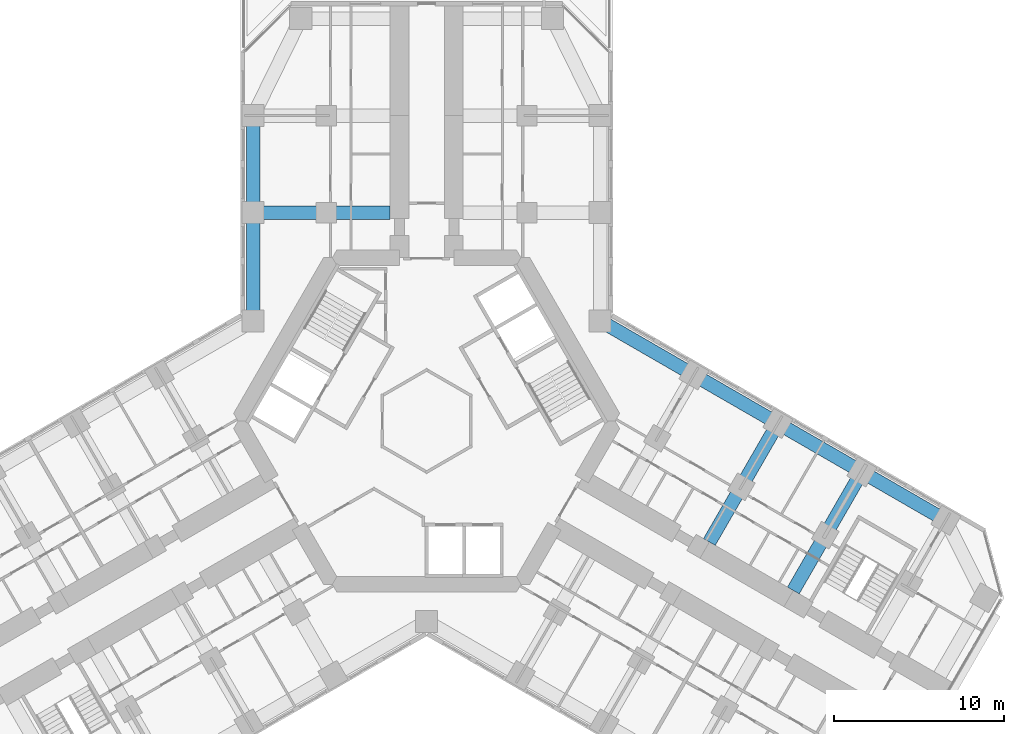
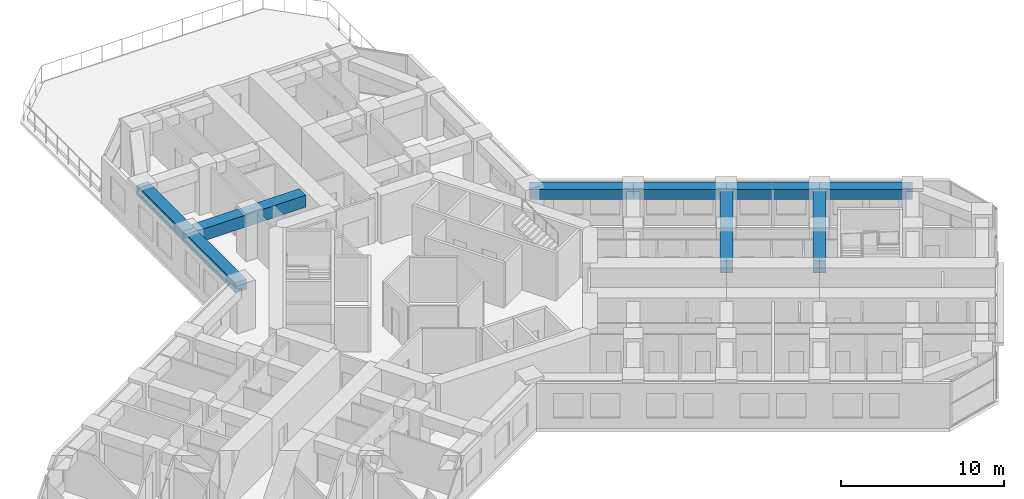
# One storey, part 6 of 19: 9 beams.
"""IFC4 building model written with IfcOpenShell, lengths in metres."""

from ifc_helpers import new_model, si_unit, direction, frame, origin, origin_2d, place, context, subcontext, project, spatial, rectangle, extrude, material, material_profile, profile_set, type_object, element, save


model = new_model("IFC4")

# Units and contexts
model_context = context("Model", 3, precision=1e-05, world=origin(), true_north=direction((0.0, 1.0)))
body_context = subcontext(model_context, "Body", "Model", "MODEL_VIEW")
ifc_project = project(units=[si_unit("LENGTHUNIT", "METRE"), si_unit("AREAUNIT", "SQUARE_METRE"), si_unit("VOLUMEUNIT", "CUBIC_METRE"), si_unit("PLANEANGLEUNIT", "RADIAN"), si_unit("MASSUNIT", "GRAM", prefix="KILO")], contexts=[model_context])

# Site, building, storey
site_placement = place(None, origin())
site = spatial("IfcSite", under=ifc_project, at=site_placement, CompositionType="ELEMENT")
building_placement = place(site_placement, origin())
building = spatial("IfcBuilding", under=site, at=building_placement, Name="Kosmar Iwan School Tower", CompositionType="ELEMENT")
storey_placement = place(building_placement, frame((0.0, 0.0, 120.199951171875)))
storey = spatial("IfcBuildingStorey", under=building, at=storey_placement, Name="L29", CompositionType="ELEMENT", Elevation=120.199951171875)

# Beams
ifc_material_1 = material(Name="Concrete C50/60", Category="concrete")
ifc_material_profile_1 = material_profile(ifc_material_1, rectangle(XDim=0.800048828125, YDim=0.75, at=origin_2d()), Name="RC 800x750")
ifc_profile_set_1 = profile_set([ifc_material_profile_1], Name="Concrete C50/60")
beam_type_1 = type_object("IfcBeamType", Name="RC edge beam 800x750", PredefinedType="BEAM", material=ifc_profile_set_1)
beam_1_placement = place(storey_placement, frame((-10.199951171875, 5.888916015625, 2.97509765625), z_axis=(0.0, 1.0, 0.0), x_axis=(-1.0, 0.0, 0.0)))
element("IfcBeam", 1, at=beam_1_placement, inside=storey, type_object=beam_type_1, Name="Edge beam AL1", PredefinedType="BEAM", context=body_context, shape_type="SweptSolid", body=[
    extrude(rectangle(XDim=0.800048828125, YDim=0.75, at=origin_2d()), origin(), (0.0, 0.0, 1.0), 6.361083984375),
])
beam_2_placement = place(storey_placement, frame((-10.199951171875, 12.25, 2.97509765625), z_axis=(0.0, 1.0, 0.0), x_axis=(-1.0, 0.0, 0.0)))
element("IfcBeam", 2, at=beam_2_placement, inside=storey, type_object=beam_type_1, Name="Edge beam AL2", PredefinedType="BEAM", context=body_context, shape_type="SweptSolid", body=[
    extrude(rectangle(XDim=0.800048828125, YDim=0.75, at=origin_2d()), origin(), (0.0, 0.0, 1.0), 5.699951171875),
])
beam_3_placement = place(storey_placement, frame((10.199951171875, 5.888916015625, 2.97509765625), z_axis=(0.866030912664, -0.49999045822, 0.0), x_axis=(0.49999045822, 0.866030912664, 0.0)))
element("IfcBeam", 3, at=beam_3_placement, inside=storey, type_object=beam_type_1, Name="Edge beam CL1", PredefinedType="BEAM", context=body_context, shape_type="SweptSolid", body=[
    extrude(rectangle(XDim=0.800048828125, YDim=0.75, at=origin_2d()), origin(), (0.0, 0.0, 1.0), 6.36083984375),
])
beam_4_placement = place(storey_placement, frame((15.708740234375, 2.70849609375, 2.97509765625), z_axis=(0.866025820012, -0.499999279071, 0.0), x_axis=(0.499999279071, 0.866025820012, 0.0)))
element("IfcBeam", 4, at=beam_4_placement, inside=storey, type_object=beam_type_1, Name="Edge beam CL2", PredefinedType="BEAM", context=body_context, shape_type="SweptSolid", body=[
    extrude(rectangle(XDim=0.800048828125, YDim=0.75, at=origin_2d()), origin(), (0.0, 0.0, 1.0), 5.7001953125),
])
for number, where, z_axis, x_axis, name in (
    (5, (20.645263671875, -0.1416015625, 2.97509765625), (0.866033658841, -0.49998570155, 0.0), (0.49998570155, 0.866033658841, 0.0), "Edge beam CL3"),
    (6, (25.58154296875, -2.991455078125, 2.97509765625), (0.866015111908, -0.50001782563, 0.0), (0.50001782563, 0.866015111908, 0.0), "Edge beam CL4"),
):
    element("IfcBeam", number, at=place(storey_placement, frame(where, z_axis=z_axis, x_axis=x_axis)), inside=storey, type_object=beam_type_1, Name=name, PredefinedType="BEAM", context=body_context, shape_type="SweptSolid", body=[
        extrude(rectangle(XDim=0.800048828125, YDim=0.75, at=origin_2d()), origin(), (0.0, 0.0, 1.0), 5.699951171875),
    ])
ifc_material_2 = material(Name="Concrete C50/60", Category="concrete")
ifc_material_profile_2 = material_profile(ifc_material_2, rectangle(XDim=0.800048828125, YDim=0.89990234375, at=origin_2d()), Name="RC 800x900")
ifc_profile_set_2 = profile_set([ifc_material_profile_2], Name="Concrete C50/60")
beam_type_2 = type_object("IfcBeamType", Name="RC transverse beam 800x900", PredefinedType="BEAM", material=ifc_profile_set_2)
for number, where, z_axis, x_axis, name in (
    (7, (-10.199951171875, 12.25, 2.900146484375), (1.0, 0.0, 0.0), (0.0, 1.0, 0.0), "Transverse beam AL1"),
    (8, (20.645263671875, -0.1416015625, 2.900146484375), (-0.500017356524, -0.866015382759, 0.0), (0.866015382759, -0.500017356524, 0.0), "Transverse beam CL2"),
):
    element("IfcBeam", number, at=place(storey_placement, frame(where, z_axis=z_axis, x_axis=x_axis)), inside=storey, type_object=beam_type_2, Name=name, PredefinedType="BEAM", context=body_context, shape_type="SweptSolid", body=[
        extrude(rectangle(XDim=0.800048828125, YDim=0.89990234375, at=origin_2d()), origin(), (0.0, 0.0, 1.0), 8.050048828125),
    ])
beam_5_placement = place(storey_placement, frame((25.58154296875, -2.991455078125, 2.900146484375), z_axis=(-0.500004224108, -0.866022964981, 0.0), x_axis=(0.866022964981, -0.500004224108, 0.0)))
element("IfcBeam", 9, at=beam_5_placement, inside=storey, type_object=beam_type_2, Name="Transverse beam CL3", PredefinedType="BEAM", context=body_context, shape_type="SweptSolid", body=[
    extrude(rectangle(XDim=0.800048828125, YDim=0.89990234375, at=origin_2d()), origin(), (0.0, 0.0, 1.0), 8.05029296875),
])

save(model, "model.ifc")
